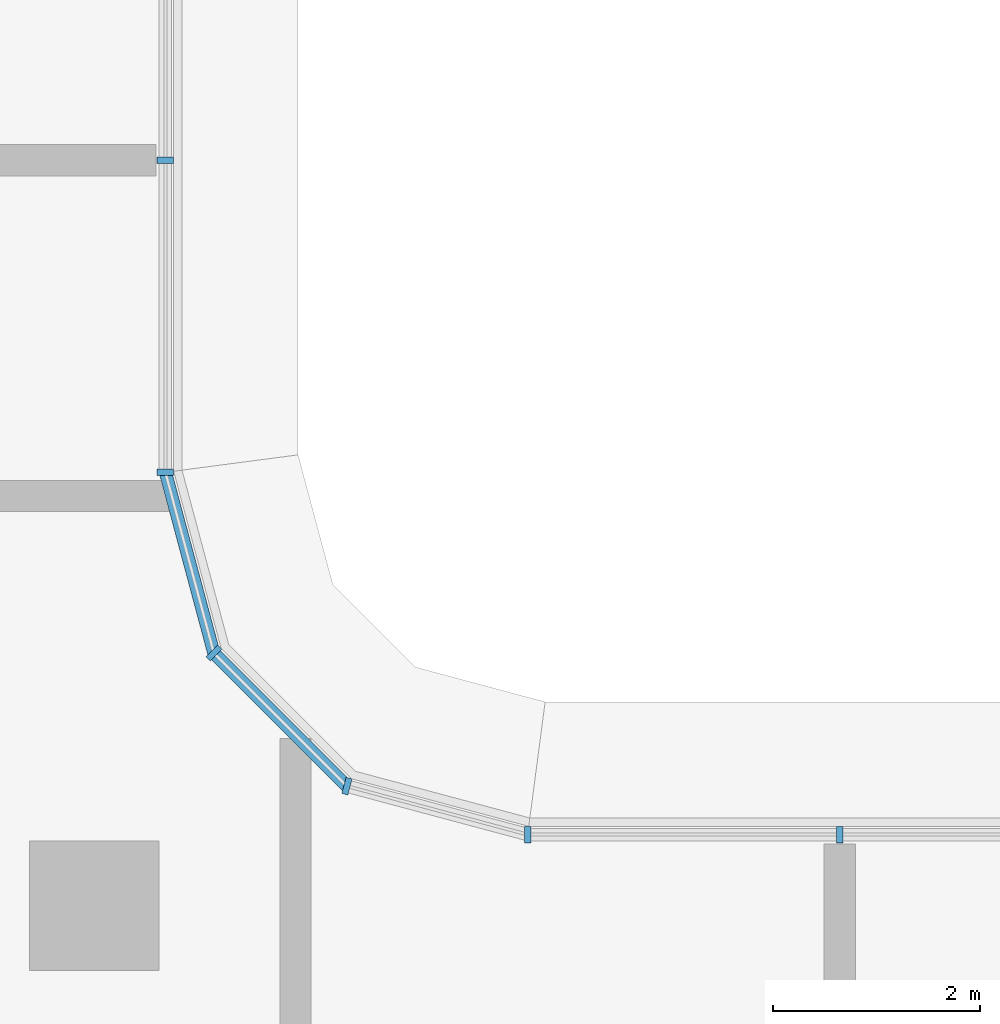
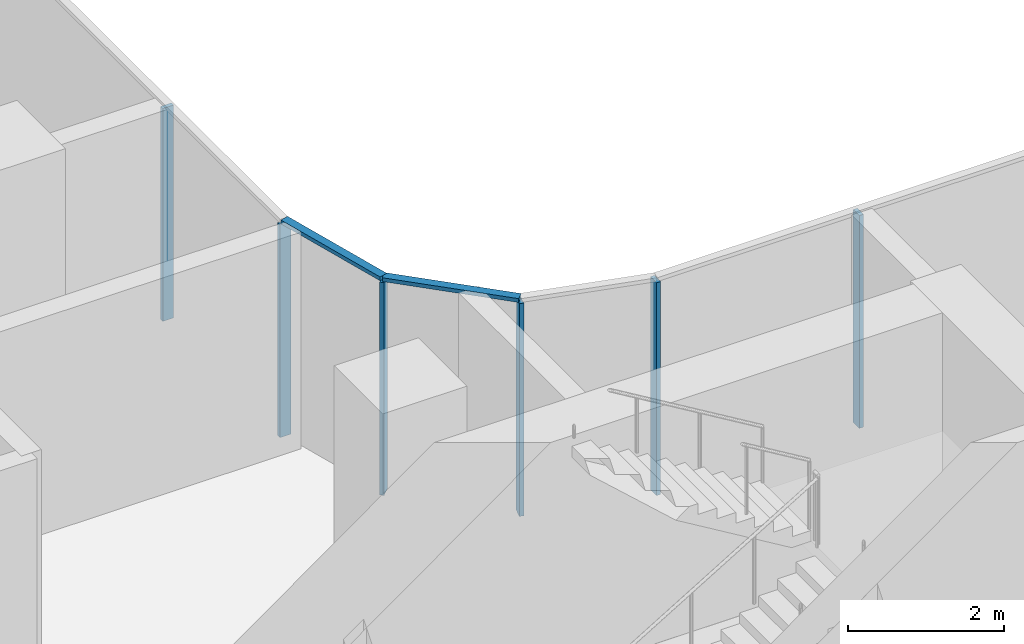
# One storey, part 2 of 25: 8 members, 3 elements without a shape of their own.
"""IFC4 building model written with IfcOpenShell, lengths in metres."""

from ifc_helpers import new_model, si_unit, direction, frame, origin, origin_2d, place, context, subcontext, project, spatial, rectangle, extrude, material, material_profile, profile_set, type_object, element, aggregate, save


model = new_model("IFC4")

# Units and contexts
model_context = context("Model", 3, precision=1e-05, world=origin(), true_north=direction((0.0, 1.0)))
body_context = subcontext(model_context, "Body", "Model", "MODEL_VIEW")
ifc_project = project(units=[si_unit("LENGTHUNIT", "METRE"), si_unit("AREAUNIT", "SQUARE_METRE"), si_unit("VOLUMEUNIT", "CUBIC_METRE"), si_unit("PLANEANGLEUNIT", "RADIAN"), si_unit("MASSUNIT", "GRAM", prefix="KILO")], contexts=[model_context])

# Site, building, storey
site_placement = place(None, origin())
site = spatial("IfcSite", under=ifc_project, at=site_placement, CompositionType="ELEMENT")
building_placement = place(site_placement, origin())
building = spatial("IfcBuilding", under=site, at=building_placement, Name="Ogive Portal Towers", CompositionType="ELEMENT")
storey_placement = place(building_placement, frame((0.0, 0.0, 116.699951171875)))
storey = spatial("IfcBuildingStorey", under=building, at=storey_placement, Name="L28", CompositionType="ELEMENT", Elevation=116.699951171875)

# Curtain wall, members
ifc_material_1 = material(Name="Glass, clear low-iron insulated glazing", Category="glass")
curtain_wall_type = type_object("IfcCurtainWallType", Name="CW FRONT RIBBON 4500", PredefinedType="NOTDEFINED", material=ifc_material_1)
curtain_wall_1_placement = place(storey_placement, origin())
curtain_wall_1 = element("IfcCurtainWall", 1, at=curtain_wall_1_placement, inside=storey, type_object=curtain_wall_type, Name="A:L28:f16:cw0", PredefinedType="NOTDEFINED")
ifc_material_2 = material(Name="Aluminium 6063 anodised", Category="aluminium")
ifc_material_profile_1 = material_profile(ifc_material_2, rectangle(XDim=0.159912109375, YDim=0.06005859375, at=origin_2d()), Name="AL 60x160")
ifc_profile_set_1 = profile_set([ifc_material_profile_1], Name="Aluminium 6063 anodised")
member_type_1 = type_object("IfcMemberType", Name="CW MULLION 60x160", PredefinedType="MULLION", material=ifc_profile_set_1)
member_1_placement = place(storey_placement, frame((58.5, 41.9951171875, 0.0), z_axis=(0.0, 0.0, 1.0), x_axis=(0.0, -1.0, 0.0)))
member_1 = element("IfcMember", 2, at=member_1_placement, type_object=member_type_1, Name="mullion", PredefinedType="MULLION", context=body_context, shape_type="SweptSolid", body=[
    extrude(rectangle(XDim=0.159912109375, YDim=0.06005859375, at=origin_2d()), origin(), (0.0, 0.0, 1.0), 3.340087890625),
])
member_2_placement = place(storey_placement, frame((55.489501953125, 41.9951171875, 0.0), z_axis=(0.0, 0.0, 1.0), x_axis=(0.0, -1.0, 0.0)))
member_2 = element("IfcMember", 3, at=member_2_placement, type_object=member_type_1, Name="mullion", PredefinedType="MULLION", context=body_context, shape_type="SweptSolid", body=[
    extrude(rectangle(XDim=0.159912109375, YDim=0.06005859375, at=origin_2d()), origin(), (0.0, 0.0, 1.0), 3.340087890625),
])
aggregate(curtain_wall_1, [member_1, member_2])

curtain_wall_2_placement = place(storey_placement, origin())
curtain_wall_2 = element("IfcCurtainWall", 4, at=curtain_wall_2_placement, inside=storey, type_object=curtain_wall_type, Name="A:L28:f20:cw0", PredefinedType="NOTDEFINED")
member_3_placement = place(storey_placement, frame((51.9951171875, 45.489501953125, 0.0), z_axis=(0.0, 0.0, 1.0), x_axis=(-1.0, 0.0, 0.0)))
member_3 = element("IfcMember", 5, at=member_3_placement, type_object=member_type_1, Name="mullion", PredefinedType="MULLION", context=body_context, shape_type="SweptSolid", body=[
    extrude(rectangle(XDim=0.159912109375, YDim=0.06005859375, at=origin_2d()), origin(), (0.0, 0.0, 1.0), 3.340087890625),
])
member_4_placement = place(storey_placement, frame((51.9951171875, 48.5, 0.0), z_axis=(0.0, 0.0, 1.0), x_axis=(-1.0, 0.0, 0.0)))
member_4 = element("IfcMember", 6, at=member_4_placement, type_object=member_type_1, Name="mullion", PredefinedType="MULLION", context=body_context, shape_type="SweptSolid", body=[
    extrude(rectangle(XDim=0.159912109375, YDim=0.06005859375, at=origin_2d()), origin(), (0.0, 0.0, 1.0), 3.340087890625),
])
aggregate(curtain_wall_2, [member_3, member_4])

curtain_wall_3_placement = place(storey_placement, origin())
curtain_wall_3 = element("IfcCurtainWall", 7, at=curtain_wall_3_placement, inside=storey, type_object=curtain_wall_type, Name="A:L28:f17:cwa", PredefinedType="NOTDEFINED")
member_5_placement = place(storey_placement, frame((53.74609375, 42.462158203125, 0.0), z_axis=(0.0, 0.0, 1.0), x_axis=(-0.258819045103, -0.965925826289, 0.0)))
member_5 = element("IfcMember", 8, at=member_5_placement, type_object=member_type_1, Name="mullion", PredefinedType="MULLION", context=body_context, shape_type="SweptSolid", body=[
    extrude(rectangle(XDim=0.159912109375, YDim=0.06005859375, at=origin_2d()), origin(), (0.0, 0.0, 1.0), 3.340087890625),
])
member_6_placement = place(storey_placement, frame((52.462158203125, 43.74609375, 0.0), z_axis=(0.0, 0.0, 1.0), x_axis=(-0.707106781187, -0.707106781187, 0.0)))
member_6 = element("IfcMember", 9, at=member_6_placement, type_object=member_type_1, Name="mullion", PredefinedType="MULLION", context=body_context, shape_type="SweptSolid", body=[
    extrude(rectangle(XDim=0.159912109375, YDim=0.06005859375, at=origin_2d()), origin(), (0.0, 0.0, 1.0), 3.340087890625),
])
ifc_material_profile_2 = material_profile(ifc_material_2, rectangle(XDim=0.1201171875, YDim=0.06005859375, at=origin_2d()), Name="AL 120x60")
ifc_profile_set_2 = profile_set([ifc_material_profile_2], Name="Aluminium 6063 anodised")
member_type_2 = type_object("IfcMemberType", Name="CW TRANSOM 60x120", PredefinedType="USERDEFINED", material=ifc_profile_set_2)
member_7_placement = place(storey_placement, frame((53.74609375, 42.462158203125, 3.3701171875), z_axis=(-0.707106781187, 0.707106781187, 0.0), x_axis=(-0.707106781187, -0.707106781187, 0.0)))
member_7 = element("IfcMember", 10, at=member_7_placement, type_object=member_type_2, Name="transom", ObjectType="TRANSOM", PredefinedType="USERDEFINED", context=body_context, shape_type="SweptSolid", body=[
    extrude(rectangle(XDim=0.1201171875, YDim=0.06005859375, at=origin_2d()), origin(), (0.0, 0.0, 1.0), 1.815673828125),
])
member_8_placement = place(storey_placement, frame((52.462158203125, 43.74609375, 3.3701171875), z_axis=(-0.258765384191, 0.965940203089, 0.0), x_axis=(-0.965940203089, -0.258765384191, 0.0)))
member_8 = element("IfcMember", 11, at=member_8_placement, type_object=member_type_2, Name="transom", ObjectType="TRANSOM", PredefinedType="USERDEFINED", context=body_context, shape_type="SweptSolid", body=[
    extrude(rectangle(XDim=0.1201171875, YDim=0.06005859375, at=origin_2d()), origin(), (0.0, 0.0, 1.0), 1.804931640625),
])
aggregate(curtain_wall_3, [member_7, member_8, member_5, member_6])

save(model, "model.ifc")
